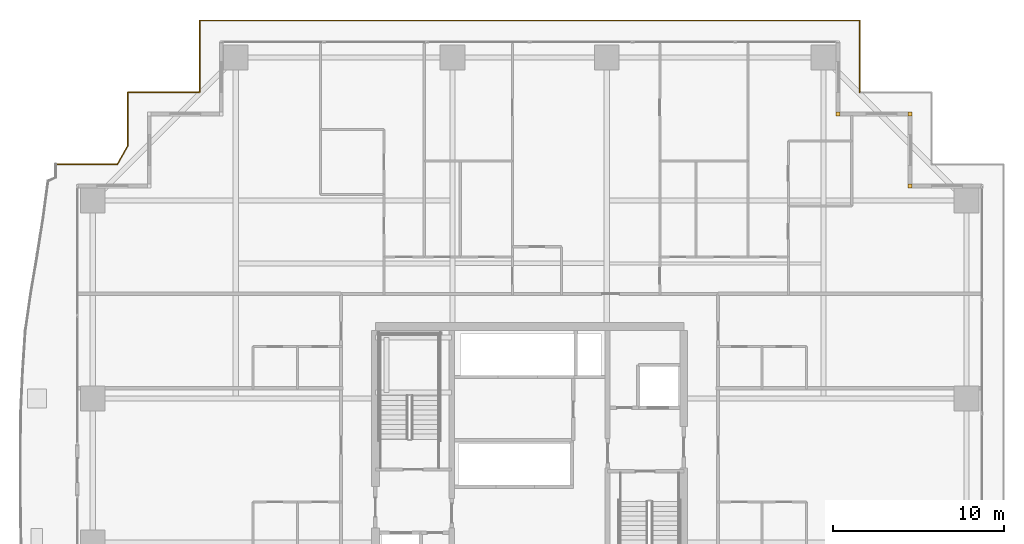
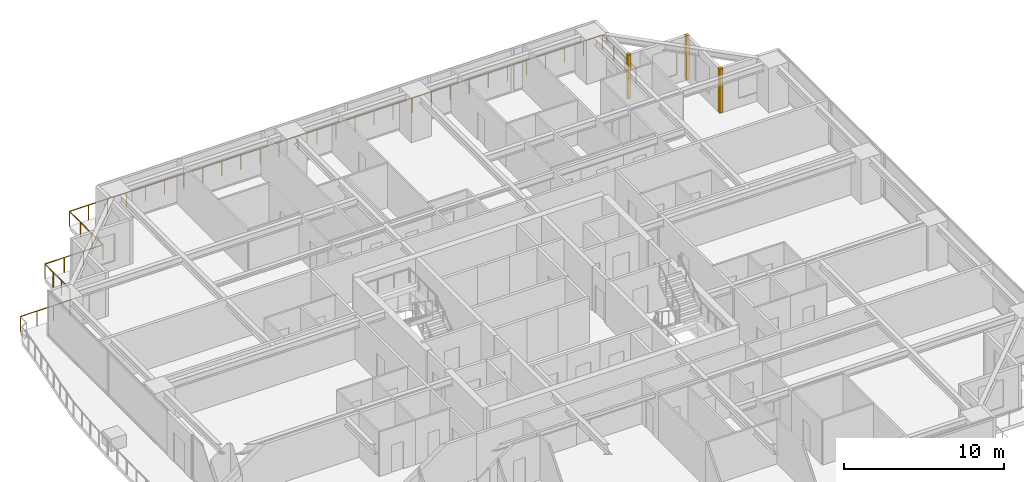
# One storey, part 40 of 40: 3 coverings, 1 railing.
"""IFC4 building model written with IfcOpenShell, lengths in metres."""

from ifc_helpers import new_model, si_unit, direction, frame, origin, origin_2d, place, context, subcontext, project, spatial, rectangle, circle, extrude, source, transform, mapped, material, layer, layer_set, type_object, element, save


model = new_model("IFC4")

# Units and contexts
model_context = context("Model", 3, precision=1e-05, world=origin(), true_north=direction((0.0, 1.0)))
body_context = subcontext(model_context, "Body", "Model", "MODEL_VIEW")
ifc_project = project(units=[si_unit("LENGTHUNIT", "METRE"), si_unit("AREAUNIT", "SQUARE_METRE"), si_unit("VOLUMEUNIT", "CUBIC_METRE"), si_unit("PLANEANGLEUNIT", "RADIAN"), si_unit("MASSUNIT", "GRAM", prefix="KILO")], contexts=[model_context])

# Site, building, storey
site_placement = place(None, origin())
site = spatial("IfcSite", under=ifc_project, at=site_placement, CompositionType="ELEMENT")
building_placement = place(site_placement, origin())
building = spatial("IfcBuilding", under=site, at=building_placement, Name="Serunith Strait Residences", CompositionType="ELEMENT")
storey_placement = place(building_placement, frame((0.0, 0.0, 105.449951171875)))
storey = spatial("IfcBuildingStorey", under=building, at=storey_placement, Name="L26", CompositionType="ELEMENT", Elevation=105.449951171875)

# Railing
ifc_material_1 = material(Name="Stainless Steel & Laminated Glass Balustrade", Category="steel")
railing_type = type_object("IfcRailingType", Name="RLG-BALC-1150", PredefinedType="BALUSTRADE", material=ifc_material_1)
railing_placement = place(storey_placement, frame((4.739990234375, 43.06005859375, -0.050048828125)))
element("IfcRailing", 1, at=railing_placement, inside=storey, type_object=railing_type, Name="L26 Swirling Balcony Perimeter Balustrade 4", PredefinedType="BALUSTRADE", context=body_context, shape_type="SweptSolid", body=[
    extrude(circle(Radius=0.02392578125, at=origin_2d()), frame((0.001953125, 0.0, 1.1259765625), z_axis=(1.0, 0.0, 0.0), x_axis=(0.0, 1.0, 0.0)), (0.0, 0.0, 1.0), 3.58740234375),
    extrude(circle(Radius=0.02392578125, at=origin_2d()), frame((3.59228515625, 0.001708984375, 1.1259765625), z_axis=(0.495603618483, 0.868548820359, 0.0), x_axis=(-0.868548820359, 0.495603618483, 0.0)), (0.0, 0.0, 1.0), 1.22412109375),
    extrude(circle(Radius=0.02392578125, at=origin_2d()), frame((4.199951171875, 1.068603515625, 1.1259765625), z_axis=(0.0, 1.0, 0.0), x_axis=(-1.0, 0.0, 0.0)), (0.0, 0.0, 1.0), 3.12939453125),
    extrude(circle(Radius=0.02392578125, at=origin_2d()), frame((4.201904296875, 4.199951171875, 1.1259765625), z_axis=(1.0, 0.0, 0.0), x_axis=(0.0, 1.0, 0.0)), (0.0, 0.0, 1.0), 4.196044921875),
    extrude(circle(Radius=0.02392578125, at=origin_2d()), frame((8.39990234375, 4.201904296875, 1.1259765625), z_axis=(0.0, 1.0, 0.0), x_axis=(-1.0, 0.0, 0.0)), (0.0, 0.0, 1.0), 4.196044921875),
    extrude(circle(Radius=0.02392578125, at=origin_2d()), frame((8.40185546875, 8.39990234375, 1.1259765625), z_axis=(1.0, 0.0, 0.0), x_axis=(0.0, 1.0, 0.0)), (0.0, 0.0, 1.0), 38.51611328125),
    extrude(circle(Radius=0.02392578125, at=origin_2d()), frame((46.919921875, 8.39794921875, 1.1259765625), z_axis=(0.0, -1.0, 0.0), x_axis=(1.0, 0.0, 0.0)), (0.0, 0.0, 1.0), 4.196044921875),
    extrude(circle(Radius=0.02099609375, at=origin_2d()), origin(), (0.0, 0.0, 1.0), 1.099853515625),
    extrude(circle(Radius=0.02099609375, at=origin_2d()), frame((1.197021484375, 0.0, 0.0)), (0.0, 0.0, 1.0), 1.099853515625),
    extrude(circle(Radius=0.02099609375, at=origin_2d()), frame((2.394287109375, 0.0, 0.0)), (0.0, 0.0, 1.0), 1.099853515625),
    extrude(circle(Radius=0.02099609375, at=origin_2d()), frame((3.59130859375, 0.0, 0.0)), (0.0, 0.0, 1.0), 1.099853515625),
    extrude(circle(Radius=0.02099609375, at=origin_2d()), frame((4.199951171875, 1.066650390625, 0.0)), (0.0, 0.0, 1.0), 1.099853515625),
    extrude(circle(Radius=0.02099609375, at=origin_2d()), frame((4.199951171875, 2.111083984375, 0.0)), (0.0, 0.0, 1.0), 1.099853515625),
    extrude(circle(Radius=0.02099609375, at=origin_2d()), frame((4.199951171875, 3.155517578125, 0.0)), (0.0, 0.0, 1.0), 1.099853515625),
    extrude(circle(Radius=0.02099609375, at=origin_2d()), frame((4.199951171875, 4.199951171875, 0.0)), (0.0, 0.0, 1.0), 1.099853515625),
    extrude(circle(Radius=0.02099609375, at=origin_2d()), frame((5.599853515625, 4.199951171875, 0.0)), (0.0, 0.0, 1.0), 1.099853515625),
    extrude(circle(Radius=0.02099609375, at=origin_2d()), frame((7.0, 4.199951171875, 0.0)), (0.0, 0.0, 1.0), 1.099853515625),
    extrude(circle(Radius=0.02099609375, at=origin_2d()), frame((8.39990234375, 4.199951171875, 0.0)), (0.0, 0.0, 1.0), 1.099853515625),
    extrude(circle(Radius=0.02099609375, at=origin_2d()), frame((8.39990234375, 5.599853515625, 0.0)), (0.0, 0.0, 1.0), 1.099853515625),
    extrude(circle(Radius=0.02099609375, at=origin_2d()), frame((8.39990234375, 7.0, 0.0)), (0.0, 0.0, 1.0), 1.099853515625),
    extrude(circle(Radius=0.02099609375, at=origin_2d()), frame((8.39990234375, 8.39990234375, 0.0)), (0.0, 0.0, 1.0), 1.099853515625),
    extrude(circle(Radius=0.02099609375, at=origin_2d()), frame((9.775634765625, 8.39990234375, 0.0)), (0.0, 0.0, 1.0), 1.099853515625),
    extrude(circle(Radius=0.02099609375, at=origin_2d()), frame((11.1513671875, 8.39990234375, 0.0)), (0.0, 0.0, 1.0), 1.099853515625),
    extrude(circle(Radius=0.02099609375, at=origin_2d()), frame((12.527099609375, 8.39990234375, 0.0)), (0.0, 0.0, 1.0), 1.099853515625),
    extrude(circle(Radius=0.02099609375, at=origin_2d()), frame((13.90283203125, 8.39990234375, 0.0)), (0.0, 0.0, 1.0), 1.099853515625),
    extrude(circle(Radius=0.02099609375, at=origin_2d()), frame((15.278564453125, 8.39990234375, 0.0)), (0.0, 0.0, 1.0), 1.099853515625),
    extrude(circle(Radius=0.02099609375, at=origin_2d()), frame((16.654296875, 8.39990234375, 0.0)), (0.0, 0.0, 1.0), 1.099853515625),
    extrude(circle(Radius=0.02099609375, at=origin_2d()), frame((18.02978515625, 8.39990234375, 0.0)), (0.0, 0.0, 1.0), 1.099853515625),
    extrude(circle(Radius=0.02099609375, at=origin_2d()), frame((19.405517578125, 8.39990234375, 0.0)), (0.0, 0.0, 1.0), 1.099853515625),
    extrude(circle(Radius=0.02099609375, at=origin_2d()), frame((20.78125, 8.39990234375, 0.0)), (0.0, 0.0, 1.0), 1.099853515625),
    extrude(circle(Radius=0.02099609375, at=origin_2d()), frame((22.156982421875, 8.39990234375, 0.0)), (0.0, 0.0, 1.0), 1.099853515625),
    extrude(circle(Radius=0.02099609375, at=origin_2d()), frame((23.53271484375, 8.39990234375, 0.0)), (0.0, 0.0, 1.0), 1.099853515625),
    extrude(circle(Radius=0.02099609375, at=origin_2d()), frame((24.908447265625, 8.39990234375, 0.0)), (0.0, 0.0, 1.0), 1.099853515625),
    extrude(circle(Radius=0.02099609375, at=origin_2d()), frame((26.2841796875, 8.39990234375, 0.0)), (0.0, 0.0, 1.0), 1.099853515625),
    extrude(circle(Radius=0.02099609375, at=origin_2d()), frame((27.659912109375, 8.39990234375, 0.0)), (0.0, 0.0, 1.0), 1.099853515625),
    extrude(circle(Radius=0.02099609375, at=origin_2d()), frame((29.03564453125, 8.39990234375, 0.0)), (0.0, 0.0, 1.0), 1.099853515625),
    extrude(circle(Radius=0.02099609375, at=origin_2d()), frame((30.411376953125, 8.39990234375, 0.0)), (0.0, 0.0, 1.0), 1.099853515625),
    extrude(circle(Radius=0.02099609375, at=origin_2d()), frame((31.787109375, 8.39990234375, 0.0)), (0.0, 0.0, 1.0), 1.099853515625),
    extrude(circle(Radius=0.02099609375, at=origin_2d()), frame((33.162841796875, 8.39990234375, 0.0)), (0.0, 0.0, 1.0), 1.099853515625),
    extrude(circle(Radius=0.02099609375, at=origin_2d()), frame((34.53857421875, 8.39990234375, 0.0)), (0.0, 0.0, 1.0), 1.099853515625),
    extrude(circle(Radius=0.02099609375, at=origin_2d()), frame((35.914306640625, 8.39990234375, 0.0)), (0.0, 0.0, 1.0), 1.099853515625),
    extrude(circle(Radius=0.02099609375, at=origin_2d()), frame((37.2900390625, 8.39990234375, 0.0)), (0.0, 0.0, 1.0), 1.099853515625),
    extrude(circle(Radius=0.02099609375, at=origin_2d()), frame((38.66552734375, 8.39990234375, 0.0)), (0.0, 0.0, 1.0), 1.099853515625),
    extrude(circle(Radius=0.02099609375, at=origin_2d()), frame((40.041259765625, 8.39990234375, 0.0)), (0.0, 0.0, 1.0), 1.099853515625),
    extrude(circle(Radius=0.02099609375, at=origin_2d()), frame((41.4169921875, 8.39990234375, 0.0)), (0.0, 0.0, 1.0), 1.099853515625),
    extrude(circle(Radius=0.02099609375, at=origin_2d()), frame((42.792724609375, 8.39990234375, 0.0)), (0.0, 0.0, 1.0), 1.099853515625),
    extrude(circle(Radius=0.02099609375, at=origin_2d()), frame((44.16845703125, 8.39990234375, 0.0)), (0.0, 0.0, 1.0), 1.099853515625),
    extrude(circle(Radius=0.02099609375, at=origin_2d()), frame((45.544189453125, 8.39990234375, 0.0)), (0.0, 0.0, 1.0), 1.099853515625),
    extrude(circle(Radius=0.02099609375, at=origin_2d()), frame((46.919921875, 8.39990234375, 0.0)), (0.0, 0.0, 1.0), 1.099853515625),
    extrude(circle(Radius=0.02099609375, at=origin_2d()), frame((46.919921875, 7.0, 0.0)), (0.0, 0.0, 1.0), 1.099853515625),
    extrude(circle(Radius=0.02099609375, at=origin_2d()), frame((46.919921875, 5.599853515625, 0.0)), (0.0, 0.0, 1.0), 1.099853515625),
    extrude(circle(Radius=0.02099609375, at=origin_2d()), frame((46.919921875, 4.199951171875, 0.0)), (0.0, 0.0, 1.0), 1.099853515625),
])

# Coverings
ifc_material_2 = material(Name="Pale-Champagne Anodised Aluminium", Category="aluminium")
ifc_layer = layer(ifc_material_2, 0.219970703125, Name="Pale-Champagne Anodised Aluminium")
ifc_layer_set = layer_set([ifc_layer], Name="Pale-Champagne Anodised Aluminium")
covering_type = type_object("IfcCoveringType", Name="COV-CORN-TRIM", PredefinedType="CLADDING", material=ifc_layer_set)
shared_shape = source(origin(), body_context, "Body", "SweptSolid", [
    extrude(rectangle(XDim=0.221923828125, YDim=0.221923828125, at=origin_2d()), origin(), (0.0, 0.0, 1.0), 3.375),
])
for number, where, z_axis, x_axis, name in (
    (2, (54.60009765625, 41.800048828125, 0.0), (0.0, 0.0, 1.0), (1.0, 0.0, 0.0), "L26 Girih Serrated Corner Trim Post 07"),
    (3, (54.60009765625, 46.0, 0.0), (0.0, 0.0, 1.0), (1.0, 0.0, 0.0), "L26 Girih Serrated Corner Trim Post 08"),
    (4, (50.39990234375, 46.0, 0.0), (0.0, 0.0, 1.0), (1.0, 0.0, 0.0), "L26 Girih Serrated Corner Trim Post 09"),
):
    element("IfcCovering", number, at=place(storey_placement, frame(where, z_axis=z_axis, x_axis=x_axis)), inside=storey, type_object=covering_type, Name=name, PredefinedType="CLADDING", context=body_context, shape_type="MappedRepresentation", body=[
        mapped(shared_shape, transform((0.0, 0.0, 0.0), scale=1.0)),
    ])

save(model, "model.ifc")
